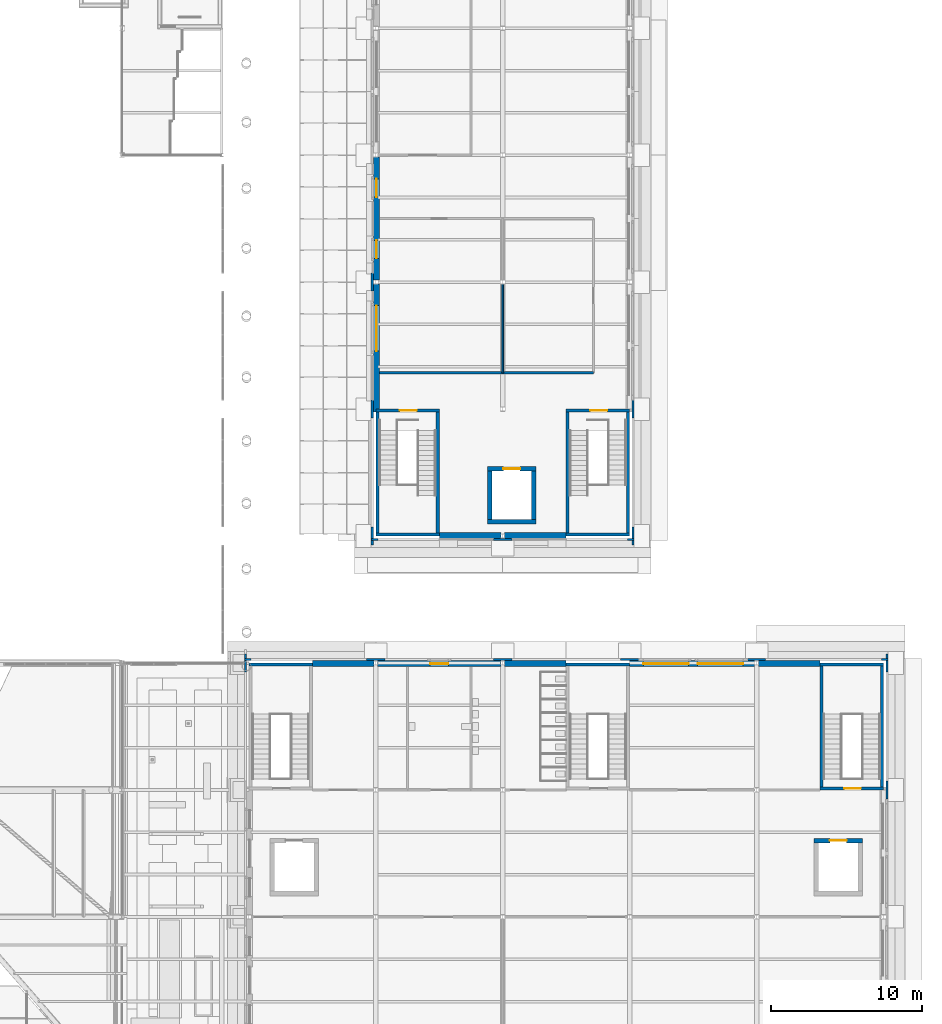
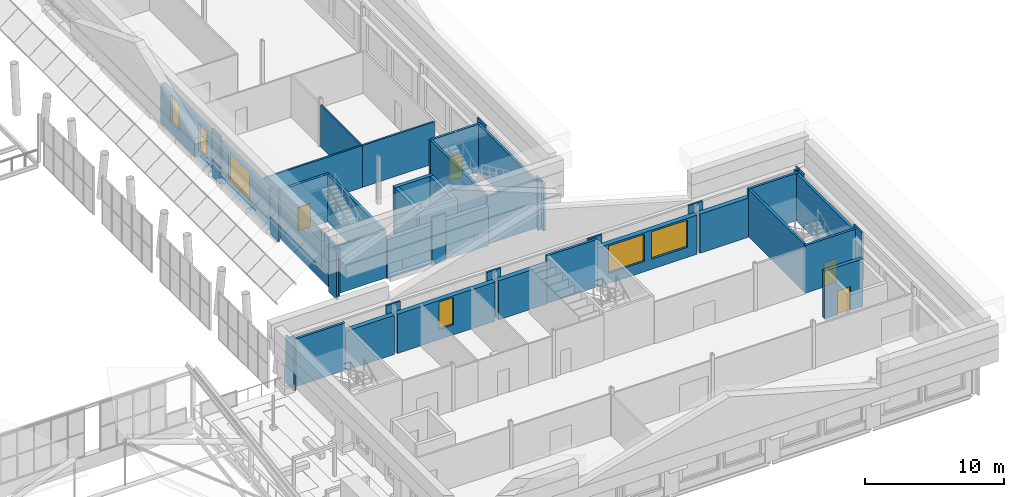
# One storey, part 45 of 76: 48 walls, 6 windows, 5 doors, 11 openings.
"""IFC4 building model written with IfcOpenShell, lengths in metres."""

from ifc_helpers import new_model, si_unit, direction, frame, frame_2d, origin, place, context, subcontext, project, spatial, rectangle, extrude, material, layer, layer_set, type_object, element, fill, save


model = new_model("IFC4")

# Units and contexts
model_context = context("Model", 3, precision=1e-05, world=origin(), true_north=direction((0.0, 1.0)))
body_context = subcontext(model_context, "Body", "Model", "MODEL_VIEW")
ifc_project = project(units=[si_unit("LENGTHUNIT", "METRE"), si_unit("AREAUNIT", "SQUARE_METRE"), si_unit("VOLUMEUNIT", "CUBIC_METRE"), si_unit("PLANEANGLEUNIT", "RADIAN"), si_unit("MASSUNIT", "GRAM", prefix="KILO")], contexts=[model_context])

# Site, building, storey
site_placement = place(None, origin())
site = spatial("IfcSite", under=ifc_project, at=site_placement, CompositionType="ELEMENT")
building_placement = place(site_placement, origin())
building = spatial("IfcBuilding", under=site, at=building_placement, Name="Sava Quay Ferry Terminal", CompositionType="ELEMENT")
storey_placement = place(building_placement, frame((0.0, 0.0, 10.800048828125)))
storey = spatial("IfcBuildingStorey", under=building, at=storey_placement, Name="L02", CompositionType="ELEMENT", Elevation=10.800048828125)

# Walls
ifc_material_1 = material(Name="Limestone Mutalj", Category="masonry")
ifc_layer_1 = layer(ifc_material_1, 0.14990234375)
ifc_layer_set_1 = layer_set([ifc_layer_1], Name="Limestone Mutalj")
wall_type_1 = type_object("IfcWallType", Name="Pier cladding 150", PredefinedType="SOLIDWALL", material=ifc_layer_set_1)
wall_1_placement = place(storey_placement, frame((83.699951171875, 50.635009765625, 0.0), z_axis=(0.0, 0.0, 1.0), x_axis=(1.0, 0.0, 0.0)))
element("IfcWall", 1, at=wall_1_placement, inside=storey, type_object=wall_type_1, Name="Pier P-N grid 84", PredefinedType="SOLIDWALL", context=body_context, shape_type="SweptSolid", body=[
    extrude(rectangle(XDim=0.449951171875, YDim=0.14990234375, at=frame_2d((0.22509765625, 0.0))), origin(), (0.0, 0.0, 1.0), 4.199951171875),
])
for number, where, z_axis, x_axis, name in (
    (2, (91.800048828125, 50.635009765625, 0.0), (0.0, 0.0, 1.0), (1.0, 0.0, 0.0), "Pier P-N grid 92.4"),
    (3, (100.199951171875, 50.635009765625, 0.0), (0.0, 0.0, 1.0), (1.0, 0.0, 0.0), "Pier P-N grid 100.8"),
    (4, (108.60009765625, 50.635009765625, 0.0), (0.0, 0.0, 1.0), (1.0, 0.0, 0.0), "Pier P-N grid 109.2"),
    (5, (117.0, 50.635009765625, 0.0), (0.0, 0.0, 1.0), (1.0, 0.0, 0.0), "Pier P-N grid 117.6"),
):
    element("IfcWall", number, at=place(storey_placement, frame(where, z_axis=z_axis, x_axis=x_axis)), inside=storey, type_object=wall_type_1, Name=name, PredefinedType="SOLIDWALL", context=body_context, shape_type="SweptSolid", body=[
        extrude(rectangle(XDim=1.199951171875, YDim=0.14990234375, at=frame_2d((0.60009765625, 0.0))), origin(), (0.0, 0.0, 1.0), 4.199951171875),
    ])
wall_2_placement = place(storey_placement, frame((125.85009765625, 50.635009765625, 0.0), z_axis=(0.0, 0.0, 1.0), x_axis=(1.0, 0.0, 0.0)))
element("IfcWall", 6, at=wall_2_placement, inside=storey, type_object=wall_type_1, Name="Pier P-N grid 126", PredefinedType="SOLIDWALL", context=body_context, shape_type="SweptSolid", body=[
    extrude(rectangle(XDim=0.449951171875, YDim=0.14990234375, at=frame_2d((0.22509765625, 0.0))), origin(), (0.0, 0.0, 1.0), 4.199951171875),
])
wall_3_placement = place(storey_placement, frame((126.22509765625, 41.39990234375, 0.0), z_axis=(0.0, 0.0, 1.0), x_axis=(0.0, 1.0, 0.0)))
element("IfcWall", 7, at=wall_3_placement, inside=storey, type_object=wall_type_1, Name="Pier P-E grid 42", PredefinedType="SOLIDWALL", context=body_context, shape_type="SweptSolid", body=[
    extrude(rectangle(XDim=1.2001953125, YDim=0.14990234375, at=frame_2d((0.60009765625, 0.0))), origin(), (0.0, 0.0, 1.0), 4.199951171875),
])
for number, where, z_axis, x_axis, name in (
    (8, (126.22509765625, 49.800048828125, 0.0), (0.0, 0.0, 1.0), (0.0, 1.0, 0.0), "Pier P-E grid 50.4"),
    (9, (83.77490234375, 49.800048828125, 0.0), (0.0, 0.0, 1.0), (0.0, 1.0, 0.0), "Pier P-W grid 50.4"),
    (10, (109.425048828125, 58.199951171875, 0.0), (0.0, 0.0, 1.0), (0.0, 1.0, 0.0), "Pier O-E grid 58.8"),
    (11, (109.425048828125, 66.60009765625, 0.0), (0.0, 0.0, 1.0), (0.0, 1.0, 0.0), "Pier O-E grid 67.2"),
):
    element("IfcWall", number, at=place(storey_placement, frame(where, z_axis=z_axis, x_axis=x_axis)), inside=storey, type_object=wall_type_1, Name=name, PredefinedType="SOLIDWALL", context=body_context, shape_type="SweptSolid", body=[
        extrude(rectangle(XDim=1.199951171875, YDim=0.14990234375, at=frame_2d((0.60009765625, 0.0))), origin(), (0.0, 0.0, 1.0), 4.199951171875),
    ])
wall_4_placement = place(storey_placement, frame((92.10009765625, 58.56494140625, 0.0), z_axis=(0.0, 0.0, 1.0), x_axis=(1.0, 0.0, 0.0)))
element("IfcWall", 12, at=wall_4_placement, inside=storey, type_object=wall_type_1, Name="Pier O-S grid 92.4", PredefinedType="SOLIDWALL", context=body_context, shape_type="SweptSolid", body=[
    extrude(rectangle(XDim=0.449951171875, YDim=0.14990234375, at=frame_2d((0.22509765625, 0.0))), origin(), (0.0, 0.0, 1.0), 4.199951171875),
])
wall_5_placement = place(storey_placement, frame((100.199951171875, 58.56494140625, 0.0), z_axis=(0.0, 0.0, 1.0), x_axis=(1.0, 0.0, 0.0)))
element("IfcWall", 13, at=wall_5_placement, inside=storey, type_object=wall_type_1, Name="Pier O-S grid 100.8", PredefinedType="SOLIDWALL", context=body_context, shape_type="SweptSolid", body=[
    extrude(rectangle(XDim=1.199951171875, YDim=0.14990234375, at=frame_2d((0.60009765625, 0.0))), origin(), (0.0, 0.0, 1.0), 4.199951171875),
])
wall_6_placement = place(storey_placement, frame((109.050048828125, 58.56494140625, 0.0), z_axis=(0.0, 0.0, 1.0), x_axis=(1.0, 0.0, 0.0)))
element("IfcWall", 14, at=wall_6_placement, inside=storey, type_object=wall_type_1, Name="Pier O-S grid 109.2", PredefinedType="SOLIDWALL", context=body_context, shape_type="SweptSolid", body=[
    extrude(rectangle(XDim=0.449951171875, YDim=0.14990234375, at=frame_2d((0.22509765625, 0.0))), origin(), (0.0, 0.0, 1.0), 4.199951171875),
])
for number, where, z_axis, x_axis, name in (
    (15, (92.175048828125, 58.199951171875, 0.0), (0.0, 0.0, 1.0), (0.0, 1.0, 0.0), "Pier O-W grid 58.8"),
    (16, (92.175048828125, 66.60009765625, 0.0), (0.0, 0.0, 1.0), (0.0, 1.0, 0.0), "Pier O-W grid 67.2"),
    (17, (92.175048828125, 75.0, 0.0), (0.0, 0.0, 1.0), (0.0, 1.0, 0.0), "Pier O-W grid 75.6"),
):
    element("IfcWall", number, at=place(storey_placement, frame(where, z_axis=z_axis, x_axis=x_axis)), inside=storey, type_object=wall_type_1, Name=name, PredefinedType="SOLIDWALL", context=body_context, shape_type="SweptSolid", body=[
        extrude(rectangle(XDim=1.199951171875, YDim=0.14990234375, at=frame_2d((0.60009765625, 0.0))), origin(), (0.0, 0.0, 1.0), 4.199951171875),
    ])
ifc_material_2 = material(Name="Masonry blockwork", Category="masonry")
ifc_layer_2 = layer(ifc_material_2, 0.14990234375)
ifc_layer_set_2 = layer_set([ifc_layer_2], Name="Masonry blockwork")
wall_type_2 = type_object("IfcWallType", Name="Plant, store and lobby wall, blockwork 150", PredefinedType="PARTITIONING", material=ifc_layer_set_2)
wall_7_placement = place(storey_placement, frame((92.650390625, 69.60009765625, 0.0), z_axis=(0.0, 0.0, 1.0), x_axis=(1.0, 0.0, 0.0)))
element("IfcWall", 18, at=wall_7_placement, inside=storey, type_object=wall_type_2, Name="Plant, store and lobby wall, blockwork 150", PredefinedType="PARTITIONING", context=body_context, shape_type="SweptSolid", body=[
    extrude(rectangle(XDim=8.149658203125, YDim=0.14990234375, at=frame_2d((4.07470703125, 0.0))), origin(), (0.0, 0.0, 1.0), 3.679931640625),
])
wall_8_placement = place(storey_placement, frame((100.800048828125, 69.60009765625, 0.0), z_axis=(0.0, 0.0, 1.0), x_axis=(1.0, 0.0, 0.0)))
element("IfcWall", 19, at=wall_8_placement, inside=storey, type_object=wall_type_2, Name="Plant, store and lobby wall, blockwork 150", PredefinedType="PARTITIONING", context=body_context, shape_type="SweptSolid", body=[
    extrude(rectangle(XDim=6.0, YDim=0.14990234375, at=frame_2d((3.0, 0.0))), origin(), (0.0, 0.0, 1.0), 3.679931640625),
])
ifc_material_3 = material(Name="Concrete C35/45", Category="concrete")
ifc_layer_3 = layer(ifc_material_3, 0.199951171875)
ifc_layer_set_3 = layer_set([ifc_layer_3], Name="Concrete C35/45")
wall_type_3 = type_object("IfcWallType", Name="RC core wall 200", PredefinedType="SHEAR", material=ifc_layer_set_3)
wall_9_placement = place(storey_placement, frame((92.39990234375, 58.89990234375, 0.0), z_axis=(0.0, 0.0, 1.0), x_axis=(1.0, 0.0, 0.0)))
element("IfcWall", 20, at=wall_9_placement, inside=storey, type_object=wall_type_3, Name="Core wall ST-O1 S L02", PredefinedType="SHEAR", context=body_context, shape_type="SweptSolid", body=[
    extrude(rectangle(XDim=4.2001953125, YDim=0.199951171875, at=frame_2d((2.10009765625, 0.0))), origin(), (0.0, 0.0, 1.0), 4.199951171875),
])

# Wall, opening, door
wall_10_placement = place(storey_placement, frame((92.39990234375, 67.10009765625, 0.0), z_axis=(0.0, 0.0, 1.0), x_axis=(1.0, 0.0, 0.0)))
wall_10 = element("IfcWall", 21, at=wall_10_placement, inside=storey, type_object=wall_type_3, Name="Core wall ST-O1 N L02", PredefinedType="SHEAR", context=body_context, shape_type="SweptSolid", body=[
    extrude(rectangle(XDim=4.2001953125, YDim=0.199951171875, at=frame_2d((2.10009765625, 0.0))), origin(), (0.0, 0.0, 1.0), 4.199951171875),
])
opening_1_placement = place(wall_10_placement, frame((1.60009765625, 0.0, 0.0)))
opening_1 = element("IfcOpeningElement", 22, at=opening_1_placement, cuts=wall_10, Name="Opening DS0209", PredefinedType="OPENING", context=body_context, shape_type="SweptSolid", body=[
    extrude(rectangle(XDim=1.10009765625, YDim=2.10009765625, at=frame_2d((0.550048828125, 1.050048828125))), frame((0.0, 0.10009765625, 0.0), z_axis=(0.0, -1.0, 0.0), x_axis=(1.0, 0.0, 0.0)), (0.0, 0.0, 1.0), 0.199951171875),
])
ifc_material_4 = material(Name="Steel fire door set", Category="steel")
door_type_1 = type_object("IfcDoorType", Name="Stair fire door 1100 x 2100", OperationType="NOTDEFINED", PredefinedType="DOOR", material=ifc_material_4)
door_1_placement = place(opening_1_placement, origin())
door_1 = element("IfcDoor", 23, at=door_1_placement, inside=storey, type_object=door_type_1, Name="Door DS0209", OperationType="SINGLE_SWING_RIGHT", OverallHeight=2.10009765625, OverallWidth=1.10009765625, PredefinedType="DOOR", context=body_context, shape_type="SweptSolid", body=[
    extrude(rectangle(XDim=1.10009765625, YDim=2.10009765625, at=frame_2d((0.550048828125, 1.050048828125))), frame((0.0, 0.02490234375, 0.0), z_axis=(0.0, -1.0, 0.0), x_axis=(1.0, 0.0, 0.0)), (0.0, 0.0, 1.0), 0.050048828125),
])
fill(opening_1, door_1)

# Walls
for number, where, z_axis, x_axis, name in (
    (24, (92.5, 59.0, 0.0), (0.0, 0.0, 1.0), (0.0, 1.0, 0.0), "Core wall ST-O1 W L02"),
    (25, (96.5, 59.0, 0.0), (0.0, 0.0, 1.0), (0.0, 1.0, 0.0), "Core wall ST-O1 E L02"),
):
    element("IfcWall", number, at=place(storey_placement, frame(where, z_axis=z_axis, x_axis=x_axis)), inside=storey, type_object=wall_type_3, Name=name, PredefinedType="SHEAR", context=body_context, shape_type="SweptSolid", body=[
        extrude(rectangle(XDim=8.0, YDim=0.199951171875, at=frame_2d((4.0, 0.0))), origin(), (0.0, 0.0, 1.0), 4.199951171875),
    ])
wall_11_placement = place(storey_placement, frame((105.0, 58.89990234375, 0.0), z_axis=(0.0, 0.0, 1.0), x_axis=(1.0, 0.0, 0.0)))
element("IfcWall", 26, at=wall_11_placement, inside=storey, type_object=wall_type_3, Name="Core wall ST-O2 S L02", PredefinedType="SHEAR", context=body_context, shape_type="SweptSolid", body=[
    extrude(rectangle(XDim=4.199951171875, YDim=0.199951171875, at=frame_2d((2.10009765625, 0.0))), origin(), (0.0, 0.0, 1.0), 4.199951171875),
])

# Wall, opening, door
wall_12_placement = place(storey_placement, frame((105.0, 67.10009765625, 0.0), z_axis=(0.0, 0.0, 1.0), x_axis=(1.0, 0.0, 0.0)))
wall_12 = element("IfcWall", 27, at=wall_12_placement, inside=storey, type_object=wall_type_3, Name="Core wall ST-O2 N L02", PredefinedType="SHEAR", context=body_context, shape_type="SweptSolid", body=[
    extrude(rectangle(XDim=4.199951171875, YDim=0.199951171875, at=frame_2d((2.10009765625, 0.0))), origin(), (0.0, 0.0, 1.0), 4.199951171875),
])
opening_2_placement = place(wall_12_placement, frame((1.60009765625, 0.0, 0.0)))
opening_2 = element("IfcOpeningElement", 28, at=opening_2_placement, cuts=wall_12, Name="Opening DS0210", PredefinedType="OPENING", context=body_context, shape_type="SweptSolid", body=[
    extrude(rectangle(XDim=1.10009765625, YDim=2.10009765625, at=frame_2d((0.550048828125, 1.050048828125))), frame((0.0, 0.10009765625, 0.0), z_axis=(0.0, -1.0, 0.0), x_axis=(1.0, 0.0, 0.0)), (0.0, 0.0, 1.0), 0.199951171875),
])
door_2_placement = place(opening_2_placement, origin())
door_2 = element("IfcDoor", 29, at=door_2_placement, inside=storey, type_object=door_type_1, Name="Door DS0210", OperationType="SINGLE_SWING_RIGHT", OverallHeight=2.10009765625, OverallWidth=1.10009765625, PredefinedType="DOOR", context=body_context, shape_type="SweptSolid", body=[
    extrude(rectangle(XDim=1.10009765625, YDim=2.10009765625, at=frame_2d((0.550048828125, 1.050048828125))), frame((0.0, 0.02490234375, 0.0), z_axis=(0.0, -1.0, 0.0), x_axis=(1.0, 0.0, 0.0)), (0.0, 0.0, 1.0), 0.050048828125),
])
fill(opening_2, door_2)

# Walls
for number, where, z_axis, x_axis, name in (
    (30, (105.10009765625, 59.0, 0.0), (0.0, 0.0, 1.0), (0.0, 1.0, 0.0), "Core wall ST-O2 W L02"),
    (31, (109.10009765625, 59.0, 0.0), (0.0, 0.0, 1.0), (0.0, 1.0, 0.0), "Core wall ST-O2 E L02"),
):
    element("IfcWall", number, at=place(storey_placement, frame(where, z_axis=z_axis, x_axis=x_axis)), inside=storey, type_object=wall_type_3, Name=name, PredefinedType="SHEAR", context=body_context, shape_type="SweptSolid", body=[
        extrude(rectangle(XDim=8.0, YDim=0.199951171875, at=frame_2d((4.0, 0.0))), origin(), (0.0, 0.0, 1.0), 4.199951171875),
    ])
wall_13_placement = place(storey_placement, frame((84.0, 50.300048828125, 0.0), z_axis=(0.0, 0.0, 1.0), x_axis=(1.0, 0.0, 0.0)))
element("IfcWall", 32, at=wall_13_placement, inside=storey, type_object=wall_type_3, Name="Core wall ST-P1 N L02", PredefinedType="SHEAR", context=body_context, shape_type="SweptSolid", body=[
    extrude(rectangle(XDim=4.199951171875, YDim=0.199951171875, at=frame_2d((2.10009765625, 0.0))), origin(), (0.0, 0.0, 1.0), 4.199951171875),
])

# Wall, opening, door
wall_14_placement = place(storey_placement, frame((121.800048828125, 42.10009765625, 0.0), z_axis=(0.0, 0.0, 1.0), x_axis=(1.0, 0.0, 0.0)))
wall_14 = element("IfcWall", 33, at=wall_14_placement, inside=storey, type_object=wall_type_3, Name="Core wall ST-P2 S L02", PredefinedType="SHEAR", context=body_context, shape_type="SweptSolid", body=[
    extrude(rectangle(XDim=4.199951171875, YDim=0.199951171875, at=frame_2d((2.10009765625, 0.0))), origin(), (0.0, 0.0, 1.0), 4.199951171875),
])
opening_3_placement = place(wall_14_placement, frame((1.60009765625, 0.0, 0.0)))
opening_3 = element("IfcOpeningElement", 34, at=opening_3_placement, cuts=wall_14, Name="Opening DS0208", PredefinedType="OPENING", context=body_context, shape_type="SweptSolid", body=[
    extrude(rectangle(XDim=1.10009765625, YDim=2.10009765625, at=frame_2d((0.550048828125, 1.050048828125))), frame((0.0, 0.10009765625, 0.0), z_axis=(0.0, -1.0, 0.0), x_axis=(1.0, 0.0, 0.0)), (0.0, 0.0, 1.0), 0.199951171875),
])
door_3_placement = place(opening_3_placement, origin())
door_3 = element("IfcDoor", 35, at=door_3_placement, inside=storey, type_object=door_type_1, Name="Door DS0208", OperationType="SINGLE_SWING_RIGHT", OverallHeight=2.10009765625, OverallWidth=1.10009765625, PredefinedType="DOOR", context=body_context, shape_type="SweptSolid", body=[
    extrude(rectangle(XDim=1.10009765625, YDim=2.10009765625, at=frame_2d((0.550048828125, 1.050048828125))), frame((0.0, 0.02490234375, 0.0), z_axis=(0.0, -1.0, 0.0), x_axis=(1.0, 0.0, 0.0)), (0.0, 0.0, 1.0), 0.050048828125),
])
fill(opening_3, door_3)

# Walls
wall_15_placement = place(storey_placement, frame((121.800048828125, 50.300048828125, 0.0), z_axis=(0.0, 0.0, 1.0), x_axis=(1.0, 0.0, 0.0)))
element("IfcWall", 36, at=wall_15_placement, inside=storey, type_object=wall_type_3, Name="Core wall ST-P2 N L02", PredefinedType="SHEAR", context=body_context, shape_type="SweptSolid", body=[
    extrude(rectangle(XDim=4.199951171875, YDim=0.199951171875, at=frame_2d((2.10009765625, 0.0))), origin(), (0.0, 0.0, 1.0), 4.199951171875),
])
for number, where, z_axis, x_axis, name in (
    (37, (121.89990234375, 42.199951171875, 0.0), (0.0, 0.0, 1.0), (0.0, 1.0, 0.0), "Core wall ST-P2 W L02"),
    (38, (125.89990234375, 42.199951171875, 0.0), (0.0, 0.0, 1.0), (0.0, 1.0, 0.0), "Core wall ST-P2 E L02"),
):
    element("IfcWall", number, at=place(storey_placement, frame(where, z_axis=z_axis, x_axis=x_axis)), inside=storey, type_object=wall_type_3, Name=name, PredefinedType="SHEAR", context=body_context, shape_type="SweptSolid", body=[
        extrude(rectangle(XDim=8.0, YDim=0.199951171875, at=frame_2d((4.0, 0.0))), origin(), (0.0, 0.0, 1.0), 4.199951171875),
    ])
wall_16_placement = place(storey_placement, frame((105.0, 50.300048828125, 0.0), z_axis=(0.0, 0.0, 1.0), x_axis=(1.0, 0.0, 0.0)))
element("IfcWall", 39, at=wall_16_placement, inside=storey, type_object=wall_type_3, Name="Core wall ST-P3 N L02", PredefinedType="SHEAR", context=body_context, shape_type="SweptSolid", body=[
    extrude(rectangle(XDim=4.199951171875, YDim=0.199951171875, at=frame_2d((2.10009765625, 0.0))), origin(), (0.0, 0.0, 1.0), 4.199951171875),
])

# Wall, opening, door
ifc_material_5 = material(Name="Concrete C35/45", Category="concrete")
ifc_layer_4 = layer(ifc_material_5, 0.300048828125)
ifc_layer_set_4 = layer_set([ifc_layer_4], Name="Concrete C35/45")
wall_type_4 = type_object("IfcWallType", Name="RC core wall 300", PredefinedType="SHEAR", material=ifc_layer_set_4)
wall_17_placement = place(storey_placement, frame((121.39990234375, 38.64990234375, 0.0), z_axis=(0.0, 0.0, 1.0), x_axis=(1.0, 0.0, 0.0)))
wall_17 = element("IfcWall", 40, at=wall_17_placement, inside=storey, type_object=wall_type_4, Name="Core wall LF-P2 N L02", PredefinedType="SHEAR", context=body_context, shape_type="SweptSolid", body=[
    extrude(rectangle(XDim=3.2001953125, YDim=0.300048828125, at=frame_2d((1.60009765625, 0.0))), origin(), (0.0, 0.0, 1.0), 4.199951171875),
])
opening_4_placement = place(wall_17_placement, frame((1.050048828125, 0.0, 0.0)))
opening_4 = element("IfcOpeningElement", 41, at=opening_4_placement, cuts=wall_17, Name="Opening LD0204", PredefinedType="OPENING", context=body_context, shape_type="SweptSolid", body=[
    extrude(rectangle(XDim=1.10009765625, YDim=2.10009765625, at=frame_2d((0.550048828125, 1.050048828125))), frame((0.0, 0.14990234375, 0.0), z_axis=(0.0, -1.0, 0.0), x_axis=(1.0, 0.0, 0.0)), (0.0, 0.0, 1.0), 0.300048828125),
])
ifc_material_6 = material(Name="Stainless steel", Category="steel")
door_type_2 = type_object("IfcDoorType", Name="Lift landing door 1100 x 2100", OperationType="NOTDEFINED", PredefinedType="DOOR", material=ifc_material_6)
door_4_placement = place(opening_4_placement, origin())
door_4 = element("IfcDoor", 42, at=door_4_placement, inside=storey, type_object=door_type_2, Name="Door LD0204", OperationType="SLIDING_TO_RIGHT", OverallHeight=2.10009765625, OverallWidth=1.10009765625, PredefinedType="DOOR", context=body_context, shape_type="SweptSolid", body=[
    extrude(rectangle(XDim=1.10009765625, YDim=2.10009765625, at=frame_2d((0.550048828125, 1.050048828125))), frame((0.0, 0.02490234375, 0.0), z_axis=(0.0, -1.0, 0.0), x_axis=(1.0, 0.0, 0.0)), (0.0, 0.0, 1.0), 0.050048828125),
])
fill(opening_4, door_4)

# Wall
wall_18_placement = place(storey_placement, frame((99.800048828125, 59.75, 0.0), z_axis=(0.0, 0.0, 1.0), x_axis=(1.0, 0.0, 0.0)))
element("IfcWall", 43, at=wall_18_placement, inside=storey, type_object=wall_type_4, Name="Core wall LF-O1 S L02", PredefinedType="SHEAR", context=body_context, shape_type="SweptSolid", body=[
    extrude(rectangle(XDim=3.199951171875, YDim=0.300048828125, at=frame_2d((1.60009765625, 0.0))), origin(), (0.0, 0.0, 1.0), 4.199951171875),
])

# Wall, opening, door
wall_19_placement = place(storey_placement, frame((99.800048828125, 63.25, 0.0), z_axis=(0.0, 0.0, 1.0), x_axis=(1.0, 0.0, 0.0)))
wall_19 = element("IfcWall", 44, at=wall_19_placement, inside=storey, type_object=wall_type_4, Name="Core wall LF-O1 N L02", PredefinedType="SHEAR", context=body_context, shape_type="SweptSolid", body=[
    extrude(rectangle(XDim=3.199951171875, YDim=0.300048828125, at=frame_2d((1.60009765625, 0.0))), origin(), (0.0, 0.0, 1.0), 4.199951171875),
])
opening_5_placement = place(wall_19_placement, frame((1.050048828125, 0.0, 0.0)))
opening_5 = element("IfcOpeningElement", 45, at=opening_5_placement, cuts=wall_19, Name="Opening LD0205", PredefinedType="OPENING", context=body_context, shape_type="SweptSolid", body=[
    extrude(rectangle(XDim=1.10009765625, YDim=2.10009765625, at=frame_2d((0.550048828125, 1.050048828125))), frame((0.0, 0.14990234375, 0.0), z_axis=(0.0, -1.0, 0.0), x_axis=(1.0, 0.0, 0.0)), (0.0, 0.0, 1.0), 0.300048828125),
])
door_5_placement = place(opening_5_placement, origin())
door_5 = element("IfcDoor", 46, at=door_5_placement, inside=storey, type_object=door_type_2, Name="Door LD0205", OperationType="SLIDING_TO_LEFT", OverallHeight=2.10009765625, OverallWidth=1.10009765625, PredefinedType="DOOR", context=body_context, shape_type="SweptSolid", body=[
    extrude(rectangle(XDim=1.10009765625, YDim=2.10009765625, at=frame_2d((0.550048828125, 1.050048828125))), frame((0.0, 0.02490234375, 0.0), z_axis=(0.0, -1.0, 0.0), x_axis=(1.0, 0.0, 0.0)), (0.0, 0.0, 1.0), 0.050048828125),
])
fill(opening_5, door_5)

# Walls
for number, where, z_axis, x_axis, name in (
    (47, (99.949951171875, 59.89990234375, 0.0), (0.0, 0.0, 1.0), (0.0, 1.0, 0.0), "Core wall LF-O1 W L02"),
    (48, (102.85009765625, 59.89990234375, 0.0), (0.0, 0.0, 1.0), (0.0, 1.0, 0.0), "Core wall LF-O1 E L02"),
):
    element("IfcWall", number, at=place(storey_placement, frame(where, z_axis=z_axis, x_axis=x_axis)), inside=storey, type_object=wall_type_4, Name=name, PredefinedType="SHEAR", context=body_context, shape_type="SweptSolid", body=[
        extrude(rectangle(XDim=3.2001953125, YDim=0.300048828125, at=frame_2d((1.60009765625, 0.0))), origin(), (0.0, 0.0, 1.0), 4.199951171875),
    ])
ifc_material_7 = material(Name="Plasterboard on steel studs", Category="steel")
ifc_layer_5 = layer(ifc_material_7, 0.125)
ifc_layer_set_5 = layer_set([ifc_layer_5], Name="Plasterboard on steel studs")
wall_type_5 = type_object("IfcWallType", Name="Room partition, plasterboard on steel studs 125", PredefinedType="PARTITIONING", material=ifc_layer_set_5)
wall_20_placement = place(storey_placement, frame((100.800048828125, 69.60009765625, 0.0), z_axis=(0.0, 0.0, 1.0), x_axis=(0.0, 1.0, 0.0)))
element("IfcWall", 49, at=wall_20_placement, inside=storey, type_object=wall_type_5, Name="Room partition, plasterboard on steel studs 125", PredefinedType="PARTITIONING", context=body_context, shape_type="SweptSolid", body=[
    extrude(rectangle(XDim=5.869873046875, YDim=0.125, at=frame_2d((2.93505859375, 0.0))), origin(), (0.0, 0.0, 1.0), 3.679931640625),
])
ifc_material_8 = material(Name="Sandstone Bela Voda", Category="masonry")
ifc_layer_6 = layer(ifc_material_8, 0.39990234375)
ifc_layer_set_6 = layer_set([ifc_layer_6], Name="Sandstone Bela Voda")
wall_type_6 = type_object("IfcWallType", Name="Sandstone ashlar infill 400", PredefinedType="SOLIDWALL", material=ifc_layer_set_6)
wall_21_placement = place(storey_placement, frame((88.199951171875, 50.360107421875, 0.0), z_axis=(0.0, 0.0, 1.0), x_axis=(1.0, 0.0, 0.0)))
element("IfcWall", 50, at=wall_21_placement, inside=storey, type_object=wall_type_6, Name="External wall P-N", PredefinedType="SOLIDWALL", context=body_context, shape_type="SweptSolid", body=[
    extrude(rectangle(XDim=4.070068359375, YDim=0.39990234375, at=frame_2d((2.03515625, 0.0))), origin(), (0.0, 0.0, 1.0), 3.449951171875),
])

# Wall, opening, window
wall_22_placement = place(storey_placement, frame((92.530029296875, 50.360107421875, 0.0), z_axis=(0.0, 0.0, 1.0), x_axis=(1.0, 0.0, 0.0)))
wall_22 = element("IfcWall", 51, at=wall_22_placement, inside=storey, type_object=wall_type_6, Name="External wall P-N", PredefinedType="SOLIDWALL", context=body_context, shape_type="SweptSolid", body=[
    extrude(rectangle(XDim=8.139892578125, YDim=0.39990234375, at=frame_2d((4.06982421875, 0.0))), origin(), (0.0, 0.0, 1.0), 3.449951171875),
])
opening_6_placement = place(wall_22_placement, frame((3.469970703125, 0.0, 0.89990234375)))
opening_6 = element("IfcOpeningElement", 52, at=opening_6_placement, cuts=wall_22, Name="Opening W-E2", PredefinedType="OPENING", context=body_context, shape_type="SweptSolid", body=[
    extrude(rectangle(XDim=1.199951171875, YDim=2.39990234375, at=frame_2d((0.60009765625, 1.199951171875))), frame((0.0, 0.199951171875, 0.0), z_axis=(0.0, -1.0, 0.0), x_axis=(1.0, 0.0, 0.0)), (0.0, 0.0, 1.0), 0.39990234375),
])
ifc_material_9 = material(Name="Aluminium bronze anodised frame, glazing double low-e Ug 1.1", Category="aluminium")
window_type_1 = type_object("IfcWindowType", Name="Upper sidelight 1200x2400", PartitioningType="SINGLE_PANEL", PredefinedType="WINDOW", material=ifc_material_9)
window_1_placement = place(opening_6_placement, origin())
window_1 = element("IfcWindow", 53, at=window_1_placement, inside=storey, type_object=window_type_1, Name="Window W-E2", OverallHeight=2.39990234375, OverallWidth=1.199951171875, PartitioningType="SINGLE_PANEL", PredefinedType="WINDOW", context=body_context, shape_type="SweptSolid", body=[
    extrude(rectangle(XDim=1.199951171875, YDim=2.39990234375, at=frame_2d((0.60009765625, 1.199951171875))), frame((0.0, 0.030029296875, 0.0), z_axis=(0.0, -1.0, 0.0), x_axis=(1.0, 0.0, 0.0)), (0.0, 0.0, 1.0), 0.06005859375),
])
fill(opening_6, window_1)

# Wall
wall_23_placement = place(storey_placement, frame((100.929931640625, 50.360107421875, 0.0), z_axis=(0.0, 0.0, 1.0), x_axis=(1.0, 0.0, 0.0)))
element("IfcWall", 54, at=wall_23_placement, inside=storey, type_object=wall_type_6, Name="External wall P-N", PredefinedType="SOLIDWALL", context=body_context, shape_type="SweptSolid", body=[
    extrude(rectangle(XDim=4.070068359375, YDim=0.39990234375, at=frame_2d((2.03515625, 0.0))), origin(), (0.0, 0.0, 1.0), 3.449951171875),
])

# Wall, openings, windows
wall_24_placement = place(storey_placement, frame((109.199951171875, 50.360107421875, 0.0), z_axis=(0.0, 0.0, 1.0), x_axis=(1.0, 0.0, 0.0)))
wall_24 = element("IfcWall", 55, at=wall_24_placement, inside=storey, type_object=wall_type_6, Name="External wall P-N", PredefinedType="SOLIDWALL", context=body_context, shape_type="SweptSolid", body=[
    extrude(rectangle(XDim=8.27001953125, YDim=0.39990234375, at=frame_2d((4.135009765625, 0.0))), origin(), (0.0, 0.0, 1.0), 3.449951171875),
])
opening_7_placement = place(wall_24_placement, frame((0.89990234375, 0.0, 0.89990234375)))
opening_7 = element("IfcOpeningElement", 56, at=opening_7_placement, cuts=wall_24, Name="Opening W-C", PredefinedType="OPENING", context=body_context, shape_type="SweptSolid", body=[
    extrude(rectangle(XDim=3.0, YDim=2.39990234375, at=frame_2d((1.5, 1.199951171875))), frame((0.0, 0.199951171875, 0.0), z_axis=(0.0, -1.0, 0.0), x_axis=(1.0, 0.0, 0.0)), (0.0, 0.0, 1.0), 0.39990234375),
])
opening_8_placement = place(wall_24_placement, frame((4.5, 0.0, 0.89990234375)))
opening_8 = element("IfcOpeningElement", 57, at=opening_8_placement, cuts=wall_24, Name="Opening W-C", PredefinedType="OPENING", context=body_context, shape_type="SweptSolid", body=[
    extrude(rectangle(XDim=3.0, YDim=2.39990234375, at=frame_2d((1.5, 1.199951171875))), frame((0.0, 0.199951171875, 0.0), z_axis=(0.0, -1.0, 0.0), x_axis=(1.0, 0.0, 0.0)), (0.0, 0.0, 1.0), 0.39990234375),
])
ifc_material_10 = material(Name="Aluminium bronze anodised frame, glazing double low-e Ug 1.1", Category="aluminium")
window_type_2 = type_object("IfcWindowType", Name="Attic-storey window 3000x2400", PartitioningType="SINGLE_PANEL", PredefinedType="WINDOW", material=ifc_material_10)
window_2_placement = place(opening_7_placement, origin())
window_2 = element("IfcWindow", 58, at=window_2_placement, inside=storey, type_object=window_type_2, Name="Window W-C", OverallHeight=2.39990234375, OverallWidth=3.0, PartitioningType="SINGLE_PANEL", PredefinedType="WINDOW", context=body_context, shape_type="SweptSolid", body=[
    extrude(rectangle(XDim=3.0, YDim=2.39990234375, at=frame_2d((1.5, 1.199951171875))), frame((0.0, 0.030029296875, 0.0), z_axis=(0.0, -1.0, 0.0), x_axis=(1.0, 0.0, 0.0)), (0.0, 0.0, 1.0), 0.06005859375),
])
fill(opening_7, window_2)
window_3_placement = place(opening_8_placement, origin())
window_3 = element("IfcWindow", 59, at=window_3_placement, inside=storey, type_object=window_type_2, Name="Window W-C", OverallHeight=2.39990234375, OverallWidth=3.0, PartitioningType="SINGLE_PANEL", PredefinedType="WINDOW", context=body_context, shape_type="SweptSolid", body=[
    extrude(rectangle(XDim=3.0, YDim=2.39990234375, at=frame_2d((1.5, 1.199951171875))), frame((0.0, 0.030029296875, 0.0), z_axis=(0.0, -1.0, 0.0), x_axis=(1.0, 0.0, 0.0)), (0.0, 0.0, 1.0), 0.06005859375),
])
fill(opening_8, window_3)

# Walls
wall_25_placement = place(storey_placement, frame((117.72998046875, 50.360107421875, 0.0), z_axis=(0.0, 0.0, 1.0), x_axis=(1.0, 0.0, 0.0)))
element("IfcWall", 60, at=wall_25_placement, inside=storey, type_object=wall_type_6, Name="External wall P-N", PredefinedType="SOLIDWALL", context=body_context, shape_type="SweptSolid", body=[
    extrude(rectangle(XDim=4.070068359375, YDim=0.39990234375, at=frame_2d((2.03515625, 0.0))), origin(), (0.0, 0.0, 1.0), 3.449951171875),
])
wall_26_placement = place(storey_placement, frame((96.60009765625, 58.840087890625, 0.0), z_axis=(0.0, 0.0, 1.0), x_axis=(1.0, 0.0, 0.0)))
element("IfcWall", 61, at=wall_26_placement, inside=storey, type_object=wall_type_6, Name="External wall O-S", PredefinedType="SOLIDWALL", context=body_context, shape_type="SweptSolid", body=[
    extrude(rectangle(XDim=4.06982421875, YDim=0.39990234375, at=frame_2d((2.034912109375, 0.0))), origin(), (0.0, 0.0, 1.0), 3.449951171875),
])
wall_27_placement = place(storey_placement, frame((100.929931640625, 58.840087890625, 0.0), z_axis=(0.0, 0.0, 1.0), x_axis=(1.0, 0.0, 0.0)))
element("IfcWall", 62, at=wall_27_placement, inside=storey, type_object=wall_type_6, Name="External wall O-S", PredefinedType="SOLIDWALL", context=body_context, shape_type="SweptSolid", body=[
    extrude(rectangle(XDim=4.070068359375, YDim=0.39990234375, at=frame_2d((2.03515625, 0.0))), origin(), (0.0, 0.0, 1.0), 3.449951171875),
])

# Wall, opening, window
wall_28_placement = place(storey_placement, frame((92.449951171875, 67.0, 0.0), z_axis=(0.0, 0.0, 1.0), x_axis=(0.0, 1.0, 0.0)))
wall_28 = element("IfcWall", 63, at=wall_28_placement, inside=storey, type_object=wall_type_6, Name="External wall O-W", PredefinedType="SOLIDWALL", context=body_context, shape_type="SweptSolid", body=[
    extrude(rectangle(XDim=8.469970703125, YDim=0.39990234375, at=frame_2d((4.23486328125, 0.0))), origin(), (0.0, 0.0, 1.0), 3.449951171875),
])
opening_9_placement = place(wall_28_placement, frame((4.03759765625, 0.0, 0.89990234375)))
opening_9 = element("IfcOpeningElement", 64, at=opening_9_placement, cuts=wall_28, Name="Opening W-C", PredefinedType="OPENING", context=body_context, shape_type="SweptSolid", body=[
    extrude(rectangle(XDim=3.0, YDim=2.39990234375, at=frame_2d((1.5, 1.199951171875))), frame((0.0, 0.199951171875, 0.0), z_axis=(0.0, -1.0, 0.0), x_axis=(1.0, 0.0, 0.0)), (0.0, 0.0, 1.0), 0.39990234375),
])
window_4_placement = place(opening_9_placement, origin())
window_4 = element("IfcWindow", 65, at=window_4_placement, inside=storey, type_object=window_type_2, Name="Window W-C", OverallHeight=2.39990234375, OverallWidth=3.0, PartitioningType="SINGLE_PANEL", PredefinedType="WINDOW", context=body_context, shape_type="SweptSolid", body=[
    extrude(rectangle(XDim=3.0, YDim=2.39990234375, at=frame_2d((1.5, 1.199951171875))), frame((0.0, 0.030029296875, 0.0), z_axis=(0.0, -1.0, 0.0), x_axis=(1.0, 0.0, 0.0)), (0.0, 0.0, 1.0), 0.06005859375),
])
fill(opening_9, window_4)

# Wall, openings, windows
wall_29_placement = place(storey_placement, frame((92.449951171875, 75.72998046875, 0.0), z_axis=(0.0, 0.0, 1.0), x_axis=(0.0, 1.0, 0.0)))
wall_29 = element("IfcWall", 66, at=wall_29_placement, inside=storey, type_object=wall_type_6, Name="External wall O-W", PredefinedType="SOLIDWALL", context=body_context, shape_type="SweptSolid", body=[
    extrude(rectangle(XDim=8.14013671875, YDim=0.39990234375, at=frame_2d((4.070068359375, 0.0))), origin(), (0.0, 0.0, 1.0), 3.449951171875),
])
opening_10_placement = place(wall_29_placement, frame((1.438720703125, 0.0, 0.89990234375)))
opening_10 = element("IfcOpeningElement", 67, at=opening_10_placement, cuts=wall_29, Name="Opening W-E2", PredefinedType="OPENING", context=body_context, shape_type="SweptSolid", body=[
    extrude(rectangle(XDim=1.199951171875, YDim=2.39990234375, at=frame_2d((0.60009765625, 1.199951171875))), frame((0.0, 0.199951171875, 0.0), z_axis=(0.0, -1.0, 0.0), x_axis=(1.0, 0.0, 0.0)), (0.0, 0.0, 1.0), 0.39990234375),
])
opening_11_placement = place(wall_29_placement, frame((5.501220703125, 0.0, 0.89990234375)))
opening_11 = element("IfcOpeningElement", 68, at=opening_11_placement, cuts=wall_29, Name="Opening W-E2", PredefinedType="OPENING", context=body_context, shape_type="SweptSolid", body=[
    extrude(rectangle(XDim=1.199951171875, YDim=2.39990234375, at=frame_2d((0.60009765625, 1.199951171875))), frame((0.0, 0.199951171875, 0.0), z_axis=(0.0, -1.0, 0.0), x_axis=(1.0, 0.0, 0.0)), (0.0, 0.0, 1.0), 0.39990234375),
])
window_5_placement = place(opening_10_placement, origin())
window_5 = element("IfcWindow", 69, at=window_5_placement, inside=storey, type_object=window_type_1, Name="Window W-E2", OverallHeight=2.39990234375, OverallWidth=1.199951171875, PartitioningType="SINGLE_PANEL", PredefinedType="WINDOW", context=body_context, shape_type="SweptSolid", body=[
    extrude(rectangle(XDim=1.199951171875, YDim=2.39990234375, at=frame_2d((0.60009765625, 1.199951171875))), frame((0.0, 0.030029296875, 0.0), z_axis=(0.0, -1.0, 0.0), x_axis=(1.0, 0.0, 0.0)), (0.0, 0.0, 1.0), 0.06005859375),
])
fill(opening_10, window_5)
window_6_placement = place(opening_11_placement, origin())
window_6 = element("IfcWindow", 70, at=window_6_placement, inside=storey, type_object=window_type_1, Name="Window W-E2", OverallHeight=2.39990234375, OverallWidth=1.199951171875, PartitioningType="SINGLE_PANEL", PredefinedType="WINDOW", context=body_context, shape_type="SweptSolid", body=[
    extrude(rectangle(XDim=1.199951171875, YDim=2.39990234375, at=frame_2d((0.60009765625, 1.199951171875))), frame((0.0, 0.030029296875, 0.0), z_axis=(0.0, -1.0, 0.0), x_axis=(1.0, 0.0, 0.0)), (0.0, 0.0, 1.0), 0.06005859375),
])
fill(opening_11, window_6)

save(model, "model.ifc")
